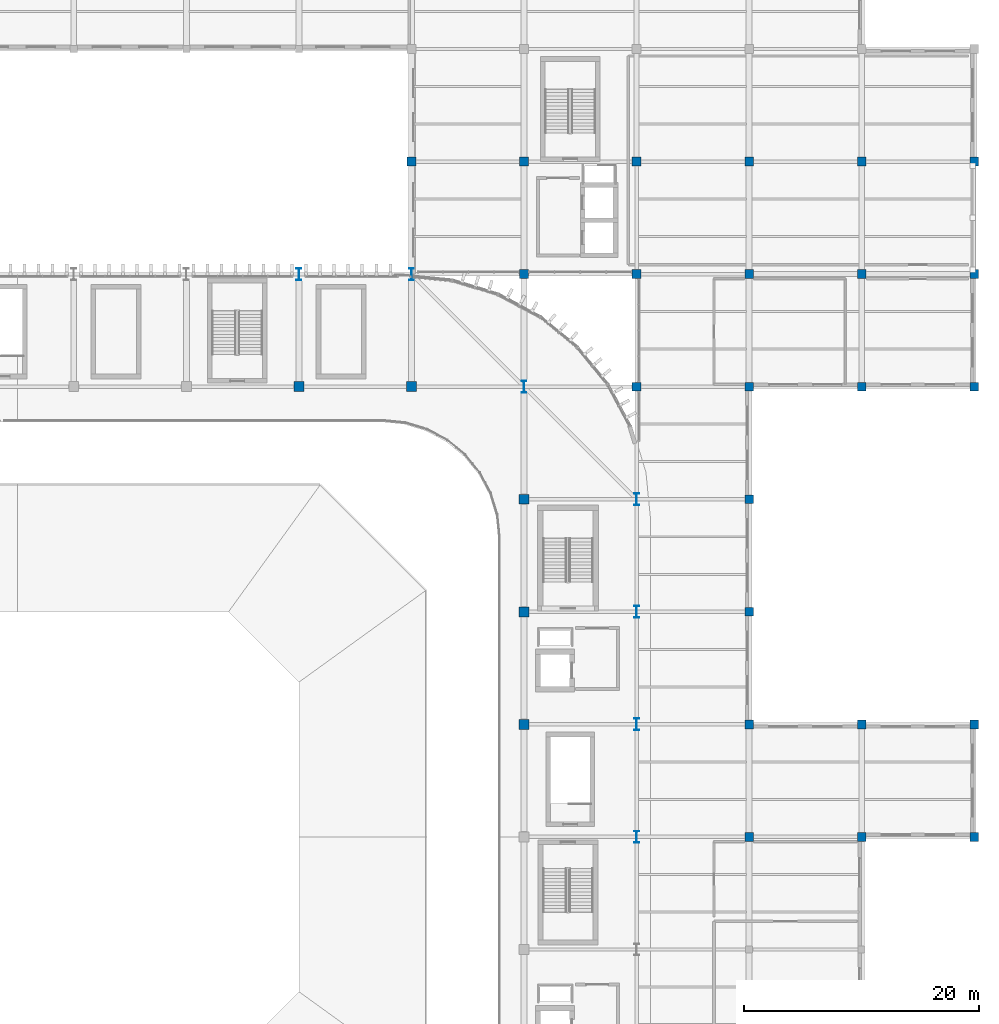
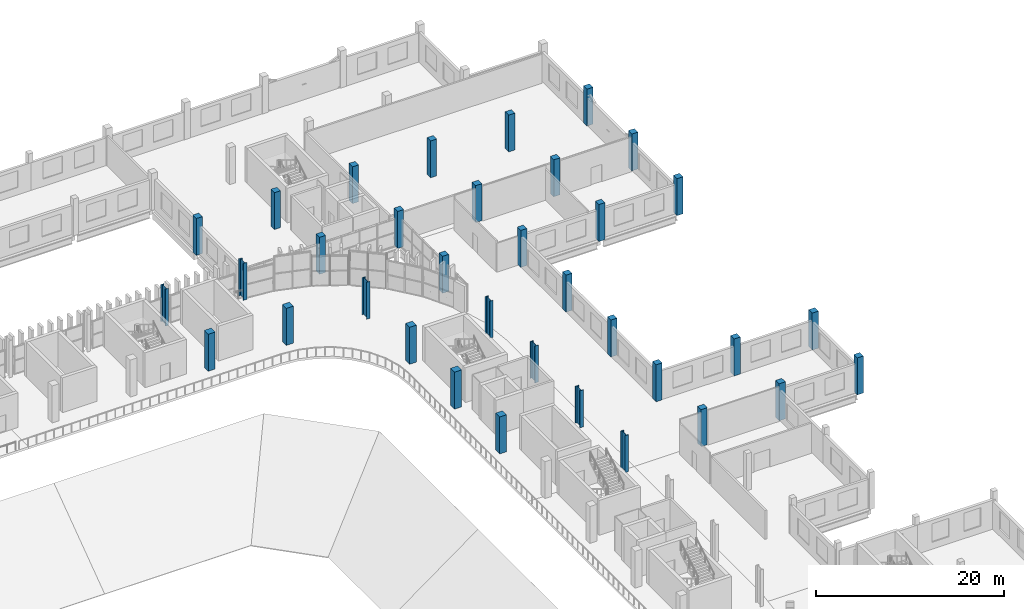
# One storey, part 10 of 99: 35 columns.
"""IFC4 building model written with IfcOpenShell, lengths in metres."""

import ifcopenshell
import ifcopenshell.guid

model = None  # the IFC model being written
_history = None  # IfcOwnerHistory: only IFC2X3 demands one
_inside = {}  # id of a spatial element -> (the spatial element, [elements in it])
_under = {}  # id of a project, library or spatial element -> (it, [spatial elements below it])
_declared = {}  # id of a project -> (the project, [libraries it declares])
_typed = {}  # id of a type object -> (the type object, [elements of that type])
_made_of = {}  # id of a material, layer set ... -> (it, [elements and type objects made of it])


def new_model(schema):
    """Start an empty IFC model of exactly this schema.

    Asked for "IFC4X3", IfcOpenShell would pick the latest addendum, in which some entities
    have other attributes; the version numbers below select the first issue.
    IFC2X3 requires an IfcOwnerHistory on every rooted entity: one is made here for all.
    """
    global model, _history
    if schema == "IFC4X3":
        model = ifcopenshell.file(schema_version=(4, 3, 0, 0))
    else:
        model = ifcopenshell.file(schema=schema)
    _inside.clear()
    _under.clear()
    _declared.clear()
    _typed.clear()
    _made_of.clear()
    _history = None
    if model.schema == "IFC2X3":
        org = make("IfcOrganization", Name="unknown")
        user = make(
            "IfcPersonAndOrganization",
            ThePerson=make("IfcPerson", FamilyName="unknown"),
            TheOrganization=org,
        )
        app = make(
            "IfcApplication",
            ApplicationDeveloper=org,
            Version="unknown",
            ApplicationFullName="unknown",
            ApplicationIdentifier="unknown",
        )
        _history = make(
            "IfcOwnerHistory",
            OwningUser=user,
            OwningApplication=app,
            ChangeAction="ADDED",
            CreationDate=0,
        )
    return model


def make(cls, **values):
    """One entity of the class cls with the attributes given. An attribute that is None is left unset."""
    return model.create_entity(
        cls, **{name: value for name, value in values.items() if value is not None}
    )


def rooted(cls, **values):
    """An entity with a GlobalId (a new one), such as an element, a storey or a relation."""
    return make(cls, GlobalId=ifcopenshell.guid.new(), OwnerHistory=_history, **values)


def si_unit(unit_type, name, prefix=None):
    """IfcSIUnit, for example si_unit("LENGTHUNIT", "METRE", prefix="MILLI")."""
    return make("IfcSIUnit", UnitType=unit_type, Prefix=prefix, Name=name)


def assignment(units):
    """IfcUnitAssignment: the units of a project."""
    return None if units is None else make("IfcUnitAssignment", Units=units)


def point(xyz):
    """IfcCartesianPoint."""
    return None if xyz is None else make("IfcCartesianPoint", Coordinates=xyz)


def direction(xyz):
    """IfcDirection."""
    return None if xyz is None else make("IfcDirection", DirectionRatios=xyz)


def frame(location, z_axis=None, x_axis=None):
    """IfcAxis2Placement3D, a coordinate frame: its origin and axes. An axis left out is left unset."""
    return make(
        "IfcAxis2Placement3D",
        Location=point(location),
        Axis=direction(z_axis),
        RefDirection=direction(x_axis),
    )


def frame_2d(location, x_axis=None):
    """IfcAxis2Placement2D, a coordinate frame in the plane: its origin and x axis."""
    return make(
        "IfcAxis2Placement2D", Location=point(location), RefDirection=direction(x_axis)
    )


def origin():
    """The frame at (0, 0, 0) with its axes left unset."""
    return frame((0.0, 0.0, 0.0))


def origin_2d():
    """The frame at (0, 0) in the plane with its x axis left unset."""
    return frame_2d((0.0, 0.0))


def place(relative_to, where):
    """IfcLocalPlacement: puts the frame where relative to a parent placement (None: the world)."""
    return make(
        "IfcLocalPlacement", PlacementRelTo=relative_to, RelativePlacement=where
    )


def context(
    kind, dimensions, precision=None, world=None, true_north=None, identifier=None
):
    """IfcGeometricRepresentationContext, for example the 3D "Model" context."""
    return make(
        "IfcGeometricRepresentationContext",
        ContextIdentifier=identifier,
        ContextType=kind,
        CoordinateSpaceDimension=dimensions,
        Precision=precision,
        WorldCoordinateSystem=world,
        TrueNorth=true_north,
    )


def subcontext(parent, identifier, kind, view, scale=None):
    """IfcGeometricRepresentationSubContext, for example "Body" below "Model"."""
    return make(
        "IfcGeometricRepresentationSubContext",
        ContextIdentifier=identifier,
        ContextType=kind,
        ParentContext=parent,
        TargetScale=scale,
        TargetView=view,
    )


def project(units=None, contexts=None):
    """IfcProject with its units and contexts."""
    return rooted(
        "IfcProject",
        Name="project",
        RepresentationContexts=contexts,
        UnitsInContext=assignment(units),
    )


def spatial(cls, under=None, at=None, **own):
    """A site, building, storey or space (cls), placed at a placement, below another one or the project."""
    s = rooted(cls, ObjectPlacement=at, **own)
    if under is not None:
        _under.setdefault(under.id(), (under, []))[1].append(s)
    return s


def profile(cls, at=None, kind="AREA", **sizes):
    """A parametric profile (cls). Its sizes go by their IFC names, for example OverallWidth=200.0."""
    return make(cls, ProfileType=kind, Position=at, **sizes)


def rectangle(**sizes):
    """IfcRectangleProfileDef."""
    return profile("IfcRectangleProfileDef", **sizes)


def i_section(**sizes):
    """IfcIShapeProfileDef."""
    return profile("IfcIShapeProfileDef", **sizes)


def extrude(swept, where, along, depth):
    """IfcExtrudedAreaSolid: the profile swept, set in the frame where, extruded along a direction by depth."""
    return make(
        "IfcExtrudedAreaSolid",
        SweptArea=swept,
        Position=where,
        ExtrudedDirection=direction(along),
        Depth=depth,
    )


def shape(context_of_items, identifier, shape_type, items):
    """IfcShapeRepresentation: the items that make up one representation, for example the "Body"."""
    return make(
        "IfcShapeRepresentation",
        ContextOfItems=context_of_items,
        RepresentationIdentifier=identifier,
        RepresentationType=shape_type,
        Items=items,
    )


def material(Name=None, Category=None):
    """IfcMaterial."""
    return make("IfcMaterial", Name=Name, Category=Category)


def material_profile(
    of_material, cross_section, Name=None, Category=None, Priority=None
):
    """IfcMaterialProfile: a cross section and its material."""
    return make(
        "IfcMaterialProfile",
        Name=Name,
        Material=of_material,
        Profile=cross_section,
        Priority=Priority,
        Category=Category,
    )


def profile_set(profiles, Name=None, composite=None):
    """IfcMaterialProfileSet."""
    return make(
        "IfcMaterialProfileSet",
        Name=Name,
        MaterialProfiles=profiles,
        CompositeProfile=composite,
    )


def made_of(thing, what):
    """Note that an element or type object is made of a material, layer set ...; save() writes the relation."""
    if what is not None:
        _made_of.setdefault(what.id(), (what, []))[1].append(thing)
    return thing


def type_object(cls, material=None, **own):
    """A type object (cls), such as IfcWallType, which elements share."""
    return made_of(rooted(cls, **own), material)


def element(
    cls,
    number,
    at=None,
    inside=None,
    cuts=None,
    type_object=None,
    material=None,
    context=None,
    identifier="Body",
    shape_type=None,
    held_by="IfcProductDefinitionShape",
    body=None,
    shapes=None,
    **own,
):
    """One element of the class cls, such as IfcWall. Its Tag is "e" and its number.

    at: its placement. inside: the storey or other place that contains it. cuts: it is an
    opening in that element (IfcRelVoidsElement). A single representation is given by context,
    identifier, shape_type and body (its items); several are given by shapes. held_by: the class
    of the entity that holds the representations. save() writes the other relations.
    """
    e = rooted(cls, Tag="e%d" % number, ObjectPlacement=at, **own)
    if body is not None:
        shapes = [shape(context, identifier, shape_type, body)]
    if shapes is not None:
        e.Representation = make(held_by, Representations=shapes)
    if inside is not None:
        _inside.setdefault(inside.id(), (inside, []))[1].append(e)
    if cuts is not None:
        rooted(
            "IfcRelVoidsElement", RelatingBuildingElement=cuts, RelatedOpeningElement=e
        )
    if type_object is not None:
        _typed.setdefault(type_object.id(), (type_object, []))[1].append(e)
    return made_of(e, material)


def aggregate(whole, parts):
    """IfcRelAggregates: a whole, such as a stair, and the parts it consists of."""
    return rooted("IfcRelAggregates", RelatingObject=whole, RelatedObjects=parts)


def save(model, path):
    """Write the relations noted so far, then the file.

    IfcRelAggregates (storeys below a building ...), IfcRelContainedInSpatialStructure (elements
    in a storey), IfcRelDefinesByType, IfcRelAssociatesMaterial and IfcRelDeclares: one each for
    every whole, place, type object, material and project.
    """
    for whole, parts in _under.values():
        aggregate(whole, parts)
    for where, things in _inside.values():
        rooted(
            "IfcRelContainedInSpatialStructure",
            RelatedElements=things,
            RelatingStructure=where,
        )
    for kind, things in _typed.values():
        rooted("IfcRelDefinesByType", RelatedObjects=things, RelatingType=kind)
    for what, things in _made_of.values():
        rooted("IfcRelAssociatesMaterial", RelatedObjects=things, RelatingMaterial=what)
    for by, libraries in _declared.values():
        rooted("IfcRelDeclares", RelatingContext=by, RelatedDefinitions=libraries)
    model.write(path)


model = new_model("IFC4")

# Units and contexts
model_context = context("Model", 3, precision=1e-05, world=origin(), true_north=direction((0.0, 1.0)))
body_context = subcontext(model_context, "Body", "Model", "MODEL_VIEW")
ifc_project = project(units=[si_unit("LENGTHUNIT", "METRE"), si_unit("AREAUNIT", "SQUARE_METRE"), si_unit("VOLUMEUNIT", "CUBIC_METRE"), si_unit("PLANEANGLEUNIT", "RADIAN"), si_unit("MASSUNIT", "GRAM", prefix="KILO")], contexts=[model_context])

# Site, building, storey
site_placement = place(None, origin())
site = spatial("IfcSite", under=ifc_project, at=site_placement, CompositionType="ELEMENT")
building_placement = place(site_placement, origin())
building = spatial("IfcBuilding", under=site, at=building_placement, Name="Caelomonte Colonnade Arena", CompositionType="ELEMENT")
storey_placement = place(building_placement, frame((0.0, 0.0, 4.800048828125)))
storey = spatial("IfcBuildingStorey", under=building, at=storey_placement, Name="L01", CompositionType="ELEMENT", Elevation=4.800048828125)

# Columns
ifc_material_1 = material(Name="Concrete C40/50", Category="concrete")
ifc_material_profile_1 = material_profile(ifc_material_1, rectangle(XDim=0.75, YDim=0.75, at=origin_2d()), Name="RC750X750")
ifc_profile_set_1 = profile_set([ifc_material_profile_1], Name="Concrete C40/50")
column_type_1 = type_object("IfcColumnType", Name="STR-COL-RC75", PredefinedType="COLUMN", material=ifc_profile_set_1)
for number, where, z_axis, x_axis, name in (
    (1, (144.0, 124.800048828125, 0.0), (0.0, 0.0, 1.0), (1.0, 0.0, 0.0), "L01 column (144.0, 124.8)"),
    (2, (153.60009765625, 115.199951171875, 0.0), (0.0, 0.0, 1.0), (1.0, 0.0, 0.0), "L01 column (153.6, 115.2)"),
    (3, (153.60009765625, 124.800048828125, 0.0), (0.0, 0.0, 1.0), (1.0, 0.0, 0.0), "L01 column (153.6, 124.8)"),
    (4, (163.199951171875, 105.60009765625, 0.0), (0.0, 0.0, 1.0), (1.0, 0.0, 0.0), "L01 column (163.2, 105.6)"),
    (5, (163.199951171875, 115.199951171875, 0.0), (0.0, 0.0, 1.0), (1.0, 0.0, 0.0), "L01 column (163.2, 115.2)"),
    (6, (163.199951171875, 124.800048828125, 0.0), (0.0, 0.0, 1.0), (1.0, 0.0, 0.0), "L01 column (163.2, 124.8)"),
    (7, (172.800048828125, 67.199951171875, 0.0), (0.0, 0.0, 1.0), (1.0, 0.0, 0.0), "L01 column (172.8, 67.2)"),
    (8, (172.800048828125, 76.800048828125, 0.0), (0.0, 0.0, 1.0), (1.0, 0.0, 0.0), "L01 column (172.8, 76.8)"),
    (9, (172.800048828125, 86.39990234375, 0.0), (0.0, 0.0, 1.0), (1.0, 0.0, 0.0), "L01 column (172.8, 86.4)"),
    (10, (172.800048828125, 96.0, 0.0), (0.0, 0.0, 1.0), (1.0, 0.0, 0.0), "L01 column (172.8, 96.0)"),
    (11, (172.800048828125, 105.60009765625, 0.0), (0.0, 0.0, 1.0), (1.0, 0.0, 0.0), "L01 column (172.8, 105.6)"),
    (12, (172.800048828125, 115.199951171875, 0.0), (0.0, 0.0, 1.0), (1.0, 0.0, 0.0), "L01 column (172.8, 115.2)"),
    (13, (172.800048828125, 124.800048828125, 0.0), (0.0, 0.0, 1.0), (1.0, 0.0, 0.0), "L01 column (172.8, 124.8)"),
    (14, (182.39990234375, 67.199951171875, 0.0), (0.0, 0.0, 1.0), (1.0, 0.0, 0.0), "L01 column (182.4, 67.2)"),
    (15, (182.39990234375, 76.800048828125, 0.0), (0.0, 0.0, 1.0), (1.0, 0.0, 0.0), "L01 column (182.4, 76.8)"),
    (16, (182.39990234375, 105.60009765625, 0.0), (0.0, 0.0, 1.0), (1.0, 0.0, 0.0), "L01 column (182.4, 105.6)"),
    (17, (182.39990234375, 115.199951171875, 0.0), (0.0, 0.0, 1.0), (1.0, 0.0, 0.0), "L01 column (182.4, 115.2)"),
    (18, (182.39990234375, 124.800048828125, 0.0), (0.0, 0.0, 1.0), (1.0, 0.0, 0.0), "L01 column (182.4, 124.8)"),
    (19, (192.0, 67.199951171875, 0.0), (0.0, 0.0, 1.0), (1.0, 0.0, 0.0), "L01 column (192.0, 67.2)"),
    (20, (192.0, 76.800048828125, 0.0), (0.0, 0.0, 1.0), (1.0, 0.0, 0.0), "L01 column (192.0, 76.8)"),
    (21, (192.0, 105.60009765625, 0.0), (0.0, 0.0, 1.0), (1.0, 0.0, 0.0), "L01 column (192.0, 105.6)"),
    (22, (192.0, 115.199951171875, 0.0), (0.0, 0.0, 1.0), (1.0, 0.0, 0.0), "L01 column (192.0, 115.2)"),
    (23, (192.0, 124.800048828125, 0.0), (0.0, 0.0, 1.0), (1.0, 0.0, 0.0), "L01 column (192.0, 124.8)"),
):
    element("IfcColumn", number, at=place(storey_placement, frame(where, z_axis=z_axis, x_axis=x_axis)), inside=storey, type_object=column_type_1, Name=name, PredefinedType="COLUMN", context=body_context, shape_type="SweptSolid", body=[
        extrude(rectangle(XDim=0.75, YDim=0.75, at=origin_2d()), origin(), (0.0, 0.0, 1.0), 4.800048828125),
    ])
ifc_material_2 = material(Name="Concrete C50/60", Category="concrete")
ifc_material_profile_2 = material_profile(ifc_material_2, rectangle(XDim=0.85009765625, YDim=0.85009765625, at=origin_2d()), Name="RC850X850")
ifc_profile_set_2 = profile_set([ifc_material_profile_2], Name="Concrete C50/60")
column_type_2 = type_object("IfcColumnType", Name="STR-COL-RC85", PredefinedType="COLUMN", material=ifc_profile_set_2)
for number, where, z_axis, x_axis, name in (
    (24, (134.39990234375, 105.60009765625, 0.0), (0.0, 0.0, 1.0), (1.0, 0.0, 0.0), "L01 column (134.4, 105.6)"),
    (25, (144.0, 105.60009765625, 0.0), (0.0, 0.0, 1.0), (1.0, 0.0, 0.0), "L01 column (144.0, 105.6)"),
    (26, (153.60009765625, 76.800048828125, 0.0), (0.0, 0.0, 1.0), (1.0, 0.0, 0.0), "L01 column (153.6, 76.8)"),
    (27, (153.60009765625, 86.39990234375, 0.0), (0.0, 0.0, 1.0), (1.0, 0.0, 0.0), "L01 column (153.6, 86.4)"),
    (28, (153.60009765625, 96.0, 0.0), (0.0, 0.0, 1.0), (1.0, 0.0, 0.0), "L01 column (153.6, 96.0)"),
):
    element("IfcColumn", number, at=place(storey_placement, frame(where, z_axis=z_axis, x_axis=x_axis)), inside=storey, type_object=column_type_2, Name=name, PredefinedType="COLUMN", context=body_context, shape_type="SweptSolid", body=[
        extrude(rectangle(XDim=0.85009765625, YDim=0.85009765625, at=origin_2d()), origin(), (0.0, 0.0, 1.0), 4.800048828125),
    ])
ifc_material_3 = material(Name="Wide-flange steel ASTM A992 Grade 50", Category="steel")
ifc_material_profile_3 = material_profile(ifc_material_3, i_section(OverallWidth=0.419189453125, OverallDepth=1.010986328125, WebThickness=0.023681640625, FlangeThickness=0.0419921875, FilletRadius=0.030517578125, at=origin_2d()), Name="W40X297")
ifc_profile_set_3 = profile_set([ifc_material_profile_3], Name="Wide-flange steel ASTM A992 Grade 50")
column_type_3 = type_object("IfcColumnType", Name="STR-COL-W40B", PredefinedType="COLUMN", material=ifc_profile_set_3)
for number, where, z_axis, x_axis, name in (
    (29, (134.39990234375, 115.199951171875, 0.0), (0.0, 0.0, 1.0), (1.0, 0.0, 0.0), "L01 column (134.4, 115.2)"),
    (30, (144.0, 115.199951171875, 0.0), (0.0, 0.0, 1.0), (1.0, 0.0, 0.0), "L01 column (144.0, 115.2)"),
    (31, (153.60009765625, 105.60009765625, 0.0), (0.0, 0.0, 1.0), (1.0, 0.0, 0.0), "L01 column (153.6, 105.6)"),
    (32, (163.199951171875, 67.199951171875, 0.0), (0.0, 0.0, 1.0), (1.0, 0.0, 0.0), "L01 column (163.2, 67.2)"),
    (33, (163.199951171875, 76.800048828125, 0.0), (0.0, 0.0, 1.0), (1.0, 0.0, 0.0), "L01 column (163.2, 76.8)"),
    (34, (163.199951171875, 86.39990234375, 0.0), (0.0, 0.0, 1.0), (1.0, 0.0, 0.0), "L01 column (163.2, 86.4)"),
    (35, (163.199951171875, 96.0, 0.0), (0.0, 0.0, 1.0), (1.0, 0.0, 0.0), "L01 column (163.2, 96.0)"),
):
    element("IfcColumn", number, at=place(storey_placement, frame(where, z_axis=z_axis, x_axis=x_axis)), inside=storey, type_object=column_type_3, Name=name, PredefinedType="COLUMN", context=body_context, shape_type="SweptSolid", body=[
        extrude(i_section(OverallWidth=0.419189453125, OverallDepth=1.010986328125, WebThickness=0.023681640625, FlangeThickness=0.0419921875, FilletRadius=0.030517578125, at=origin_2d()), origin(), (0.0, 0.0, 1.0), 4.800048828125),
    ])

save(model, "model.ifc")
